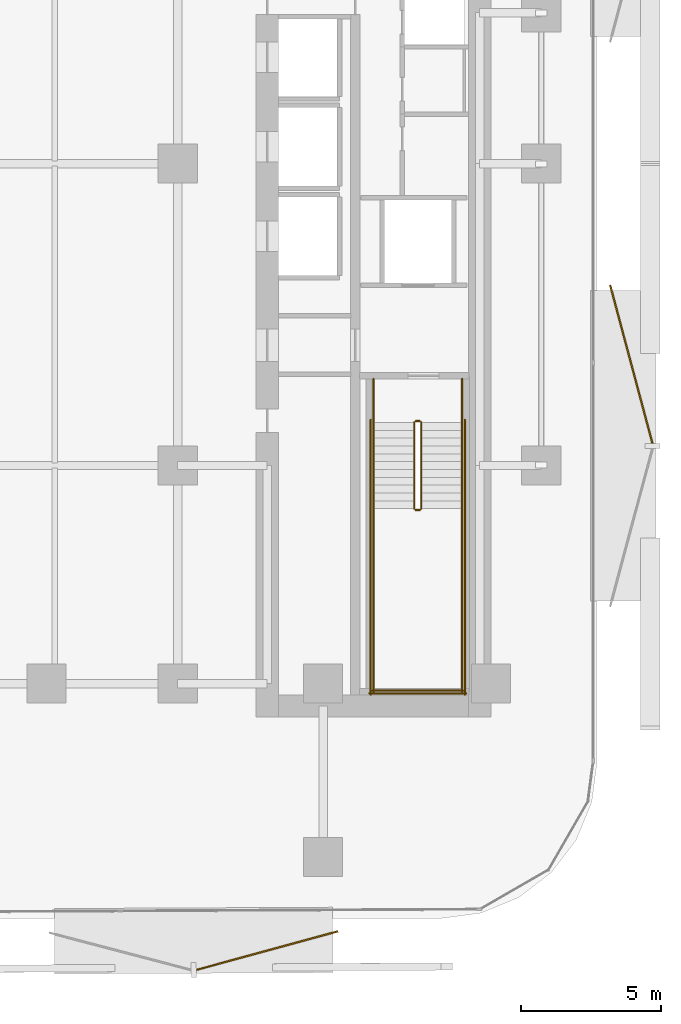
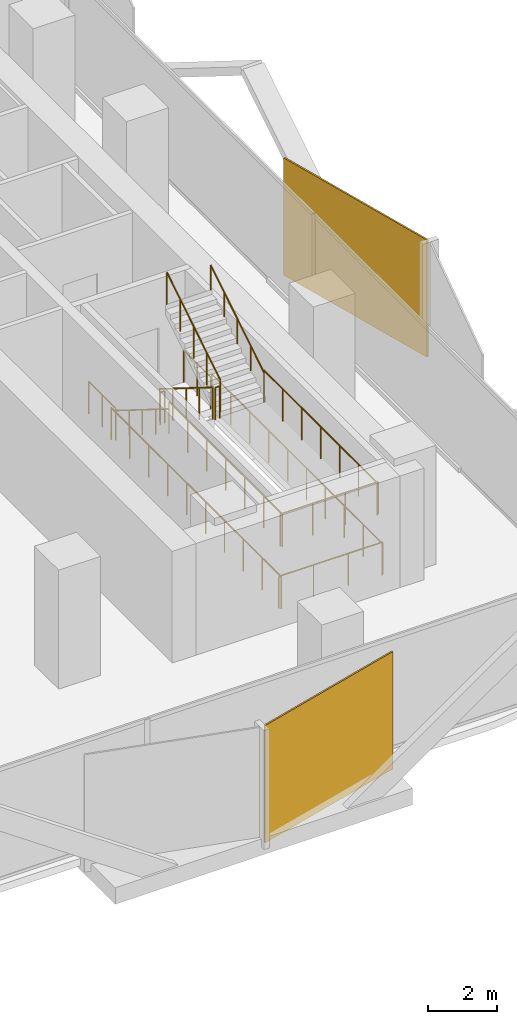
# One storey, part 13 of 15: 14 railings, 2 coverings.
"""IFC4 building model written with IfcOpenShell, lengths in metres."""

from ifc_helpers import new_model, si_unit, direction, frame, origin, origin_2d, place, context, subcontext, project, spatial, rectangle, circle, extrude, material, layer, layer_set, type_object, element, save


model = new_model("IFC4")

# Units and contexts
model_context = context("Model", 3, precision=1e-05, world=origin(), true_north=direction((0.0, 1.0)))
body_context = subcontext(model_context, "Body", "Model", "MODEL_VIEW")
ifc_project = project(units=[si_unit("LENGTHUNIT", "METRE"), si_unit("AREAUNIT", "SQUARE_METRE"), si_unit("VOLUMEUNIT", "CUBIC_METRE"), si_unit("PLANEANGLEUNIT", "RADIAN"), si_unit("MASSUNIT", "GRAM", prefix="KILO")], contexts=[model_context])

# Site, building, storey
site_placement = place(None, origin())
site = spatial("IfcSite", under=ifc_project, at=site_placement, CompositionType="ELEMENT")
building_placement = place(site_placement, origin())
building = spatial("IfcBuilding", under=site, at=building_placement, Name="Khairoan Windgate Tower", CompositionType="ELEMENT")
storey_placement = place(building_placement, frame((0.0, 0.0, 72.199951171875)))
storey = spatial("IfcBuildingStorey", under=building, at=storey_placement, Name="L17", CompositionType="ELEMENT", Elevation=72.199951171875)

# Coverings
ifc_material_1 = material(Name="Anodised Bronze Aluminium 6063-T6", Category="aluminium")
ifc_layer = layer(ifc_material_1, 0.054931640625, Name="Anodised Bronze Aluminium 6063-T6")
ifc_layer_set = layer_set([ifc_layer], Name="Anodised Bronze Aluminium 6063-T6")
covering_type = type_object("IfcCoveringType", Name="Perforated Bronze-Ceramic Folded Solar Screen Cladding BSC-1", PredefinedType="CLADDING", material=ifc_layer_set)
covering_1_placement = place(storey_placement, frame((12.39453125, -28.150390625, -0.10009765625), z_axis=(0.0, 0.0, 1.0), x_axis=(-0.964649468762, -0.263536339841, 0.0)))
element("IfcCovering", 1, at=covering_1_placement, inside=storey, type_object=covering_type, Name="L17 Folded Bronze Solar Screen Facet 89L", PredefinedType="CLADDING", context=body_context, shape_type="SweptSolid", body=[
    extrude(rectangle(XDim=5.25, YDim=0.054931640625, at=origin_2d()), origin(), (0.0, 0.0, 1.0), 4.139892578125),
])
covering_2_placement = place(storey_placement, frame((25.42236328125, -7.177734375, -0.10009765625), z_axis=(0.0, 0.0, 1.0), x_axis=(0.258819045103, -0.965925826289, 0.0)))
element("IfcCovering", 2, at=covering_2_placement, inside=storey, type_object=covering_type, Name="L17 Folded Bronze Solar Screen Facet 96L", PredefinedType="CLADDING", context=body_context, shape_type="SweptSolid", body=[
    extrude(rectangle(XDim=5.85498046875, YDim=0.054931640625, at=origin_2d()), origin(), (0.0, 0.0, 1.0), 4.139892578125),
])

# Railings
ifc_material_2 = material(Name="Anodised Bronze Aluminium 6063-T6", Category="aluminium")
railing_type_1 = type_object("IfcRailingType", Name="Stair Wall Handrail SHR-900", PredefinedType="HANDRAIL", material=ifc_material_2)
railing_1_placement = place(storey_placement, frame((16.199951171875, -9.260009765625, 0.175048828125)))
element("IfcRailing", 3, at=railing_1_placement, inside=storey, type_object=railing_type_1, Name="L17 ST1 stair handrail 1", PredefinedType="HANDRAIL", context=body_context, shape_type="SweptSolid", body=[
    extrude(circle(Radius=0.02392578125, at=origin_2d()), frame((0.0, 0.0, 0.8759765625), z_axis=(0.0, -0.847998304005, 0.529998940003), x_axis=(1.0, 0.0, 0.0)), (0.0, 0.0, 1.0), 3.632080078125),
    extrude(circle(Radius=0.02099609375, at=origin_2d()), origin(), (0.0, 0.0, 1.0), 0.851806640625),
    extrude(circle(Radius=0.02099609375, at=origin_2d()), frame((0.0, -0.77001953125, 0.481201171875)), (0.0, 0.0, 1.0), 0.851806640625),
    extrude(circle(Radius=0.02099609375, at=origin_2d()), frame((0.0, -1.5400390625, 0.96240234375)), (0.0, 0.0, 1.0), 0.851806640625),
    extrude(circle(Radius=0.02099609375, at=origin_2d()), frame((0.0, -2.31005859375, 1.44384765625)), (0.0, 0.0, 1.0), 0.851806640625),
    extrude(circle(Radius=0.02099609375, at=origin_2d()), frame((0.0, -3.080078125, 1.925048828125)), (0.0, 0.0, 1.0), 0.851806640625),
])
railing_2_placement = place(storey_placement, frame((19.3701171875, -12.340087890625, 2.275146484375)))
element("IfcRailing", 4, at=railing_2_placement, inside=storey, type_object=railing_type_1, Name="L17 ST1 stair handrail 2", PredefinedType="HANDRAIL", context=body_context, shape_type="SweptSolid", body=[
    extrude(circle(Radius=0.02392578125, at=origin_2d()), frame((0.0, 0.0, 0.8759765625), z_axis=(0.0, 0.848028513186, 0.529950602248), x_axis=(-1.0, 0.0, 0.0)), (0.0, 0.0, 1.0), 3.632080078125),
    extrude(circle(Radius=0.02099609375, at=origin_2d()), origin(), (0.0, 0.0, 1.0), 0.851806640625),
    extrude(circle(Radius=0.02099609375, at=origin_2d()), frame((0.0, 0.77001953125, 0.481201171875)), (0.0, 0.0, 1.0), 0.851806640625),
    extrude(circle(Radius=0.02099609375, at=origin_2d()), frame((0.0, 1.5400390625, 0.96240234375)), (0.0, 0.0, 1.0), 0.851806640625),
    extrude(circle(Radius=0.02099609375, at=origin_2d()), frame((0.0, 2.31005859375, 1.443603515625)), (0.0, 0.0, 1.0), 0.851806640625),
    extrude(circle(Radius=0.02099609375, at=origin_2d()), frame((0.0, 3.080078125, 1.9248046875)), (0.0, 0.0, 1.0), 0.851806640625),
])
ifc_material_3 = material(Name="Steel S355", Category="steel")
railing_type_2 = type_object("IfcRailingType", Name="Stairwell Safety Guardrail SGR-1150", PredefinedType="GUARDRAIL", material=ifc_material_3)
railing_3_placement = place(storey_placement, frame((17.659912109375, -9.260009765625, 0.175048828125)))
element("IfcRailing", 5, at=railing_3_placement, inside=storey, type_object=railing_type_2, Name="L17 ST1 stair guard 1", PredefinedType="GUARDRAIL", context=body_context, shape_type="SweptSolid", body=[
    extrude(circle(Radius=0.02392578125, at=origin_2d()), frame((0.0, 0.0, 1.1259765625), z_axis=(0.0, -0.847998304005, 0.529998940003), x_axis=(1.0, 0.0, 0.0)), (0.0, 0.0, 1.0), 3.632080078125),
    extrude(circle(Radius=0.02099609375, at=origin_2d()), origin(), (0.0, 0.0, 1.0), 1.101806640625),
    extrude(circle(Radius=0.02099609375, at=origin_2d()), frame((0.0, -0.77001953125, 0.481201171875)), (0.0, 0.0, 1.0), 1.101806640625),
    extrude(circle(Radius=0.02099609375, at=origin_2d()), frame((0.0, -1.5400390625, 0.96240234375)), (0.0, 0.0, 1.0), 1.101806640625),
    extrude(circle(Radius=0.02099609375, at=origin_2d()), frame((0.0, -2.31005859375, 1.44384765625)), (0.0, 0.0, 1.0), 1.101806640625),
    extrude(circle(Radius=0.02099609375, at=origin_2d()), frame((0.0, -3.080078125, 1.925048828125)), (0.0, 0.0, 1.0), 1.101806640625),
])
railing_4_placement = place(storey_placement, frame((17.7099609375, -12.389892578125, 2.10009765625)))
element("IfcRailing", 6, at=railing_4_placement, inside=storey, type_object=railing_type_2, Name="L17 ST1 stair guard 2", PredefinedType="GUARDRAIL", context=body_context, shape_type="SweptSolid", body=[
    extrude(circle(Radius=0.02392578125, at=origin_2d()), frame((0.0, 0.0, 1.1259765625), z_axis=(1.0, 0.0, 0.0), x_axis=(0.0, 1.0, 0.0)), (0.0, 0.0, 1.0), 0.150146484375),
    extrude(circle(Radius=0.02099609375, at=origin_2d()), origin(), (0.0, 0.0, 1.0), 1.101806640625),
    extrude(circle(Radius=0.02099609375, at=origin_2d()), frame((0.150146484375, 0.0, 0.0)), (0.0, 0.0, 1.0), 1.101806640625),
])
for number, where, name in (
    (7, (16.199951171875, -12.340087890625, 2.10009765625), "L17 ST1 stair guard 3"),
    (8, (19.3701171875, -12.340087890625, 2.10009765625), "L17 ST1 stair guard 4"),
):
    element("IfcRailing", number, at=place(storey_placement, frame(where)), inside=storey, type_object=railing_type_2, Name=name, PredefinedType="GUARDRAIL", context=body_context, shape_type="SweptSolid", body=[
        extrude(circle(Radius=0.02392578125, at=origin_2d()), frame((0.0, 0.0, 1.1259765625), z_axis=(0.0, -1.0, 0.0), x_axis=(1.0, 0.0, 0.0)), (0.0, 0.0, 1.0), 6.559814453125),
        extrude(circle(Radius=0.02099609375, at=origin_2d()), origin(), (0.0, 0.0, 1.0), 1.101806640625),
        extrude(circle(Radius=0.02099609375, at=origin_2d()), frame((0.0, -1.09326171875, 0.0)), (0.0, 0.0, 1.0), 1.101806640625),
        extrude(circle(Radius=0.02099609375, at=origin_2d()), frame((0.0, -2.1865234375, 0.0)), (0.0, 0.0, 1.0), 1.101806640625),
        extrude(circle(Radius=0.02099609375, at=origin_2d()), frame((0.0, -3.27978515625, 0.0)), (0.0, 0.0, 1.0), 1.101806640625),
        extrude(circle(Radius=0.02099609375, at=origin_2d()), frame((0.0, -4.373291015625, 0.0)), (0.0, 0.0, 1.0), 1.101806640625),
        extrude(circle(Radius=0.02099609375, at=origin_2d()), frame((0.0, -5.466552734375, 0.0)), (0.0, 0.0, 1.0), 1.101806640625),
        extrude(circle(Radius=0.02099609375, at=origin_2d()), frame((0.0, -6.559814453125, 0.0)), (0.0, 0.0, 1.0), 1.101806640625),
    ])
railing_5_placement = place(storey_placement, frame((16.14990234375, -18.85009765625, 2.10009765625)))
element("IfcRailing", 9, at=railing_5_placement, inside=storey, type_object=railing_type_2, Name="L17 ST1 stair guard 5", PredefinedType="GUARDRAIL", context=body_context, shape_type="SweptSolid", body=[
    extrude(circle(Radius=0.02392578125, at=origin_2d()), frame((0.0, 0.0, 1.1259765625), z_axis=(1.0, 0.0, 0.0), x_axis=(0.0, 1.0, 0.0)), (0.0, 0.0, 1.0), 3.27001953125),
    extrude(circle(Radius=0.02099609375, at=origin_2d()), origin(), (0.0, 0.0, 1.0), 1.101806640625),
    extrude(circle(Radius=0.02099609375, at=origin_2d()), frame((1.090087890625, 0.0, 0.0)), (0.0, 0.0, 1.0), 1.101806640625),
    extrude(circle(Radius=0.02099609375, at=origin_2d()), frame((2.179931640625, 0.0, 0.0)), (0.0, 0.0, 1.0), 1.101806640625),
    extrude(circle(Radius=0.02099609375, at=origin_2d()), frame((3.27001953125, 0.0, 0.0)), (0.0, 0.0, 1.0), 1.101806640625),
])
railing_6_placement = place(storey_placement, frame((17.909912109375, -12.340087890625, 2.275146484375)))
element("IfcRailing", 10, at=railing_6_placement, inside=storey, type_object=railing_type_2, Name="L17 ST1 stair guard 6", PredefinedType="GUARDRAIL", context=body_context, shape_type="SweptSolid", body=[
    extrude(circle(Radius=0.02392578125, at=origin_2d()), frame((0.0, 0.0, 1.1259765625), z_axis=(0.0, 0.848028513186, 0.529950602248), x_axis=(-1.0, 0.0, 0.0)), (0.0, 0.0, 1.0), 3.632080078125),
    extrude(circle(Radius=0.02099609375, at=origin_2d()), origin(), (0.0, 0.0, 1.0), 1.101806640625),
    extrude(circle(Radius=0.02099609375, at=origin_2d()), frame((0.0, 0.77001953125, 0.481201171875)), (0.0, 0.0, 1.0), 1.101806640625),
    extrude(circle(Radius=0.02099609375, at=origin_2d()), frame((0.0, 1.5400390625, 0.96240234375)), (0.0, 0.0, 1.0), 1.101806640625),
    extrude(circle(Radius=0.02099609375, at=origin_2d()), frame((0.0, 2.31005859375, 1.443603515625)), (0.0, 0.0, 1.0), 1.101806640625),
    extrude(circle(Radius=0.02099609375, at=origin_2d()), frame((0.0, 3.080078125, 1.9248046875)), (0.0, 0.0, 1.0), 1.101806640625),
])
railing_7_placement = place(storey_placement, frame((17.7099609375, -9.2099609375, 0.0)))
element("IfcRailing", 11, at=railing_7_placement, inside=storey, type_object=railing_type_2, Name="L17 ST1 stair guard 7", PredefinedType="GUARDRAIL", context=body_context, shape_type="SweptSolid", body=[
    extrude(circle(Radius=0.02392578125, at=origin_2d()), frame((0.0, 0.0, 1.1259765625), z_axis=(1.0, 0.0, 0.0), x_axis=(0.0, 1.0, 0.0)), (0.0, 0.0, 1.0), 0.150146484375),
    extrude(circle(Radius=0.02099609375, at=origin_2d()), origin(), (0.0, 0.0, 1.0), 1.101806640625),
    extrude(circle(Radius=0.02099609375, at=origin_2d()), frame((0.150146484375, 0.0, 0.0)), (0.0, 0.0, 1.0), 1.101806640625),
])
for number, where, name in (
    (12, (16.199951171875, -7.699951171875, 0.0), "L17 ST1 stair guard 8"),
    (13, (19.3701171875, -7.699951171875, 0.0), "L17 ST1 stair guard 9"),
):
    element("IfcRailing", number, at=place(storey_placement, frame(where)), inside=storey, type_object=railing_type_2, Name=name, PredefinedType="GUARDRAIL", context=body_context, shape_type="SweptSolid", body=[
        extrude(circle(Radius=0.02392578125, at=origin_2d()), frame((0.0, 0.0, 1.1259765625), z_axis=(0.0, -1.0, 0.0), x_axis=(1.0, 0.0, 0.0)), (0.0, 0.0, 1.0), 1.56005859375),
        extrude(circle(Radius=0.02099609375, at=origin_2d()), origin(), (0.0, 0.0, 1.0), 1.101806640625),
        extrude(circle(Radius=0.02099609375, at=origin_2d()), frame((0.0, -0.780029296875, 0.0)), (0.0, 0.0, 1.0), 1.101806640625),
        extrude(circle(Radius=0.02099609375, at=origin_2d()), frame((0.0, -1.56005859375, 0.0)), (0.0, 0.0, 1.0), 1.101806640625),
    ])
for number, where, name in (
    (14, (16.10009765625, -9.159912109375, 0.0), "L17 ST1 stair guard 10"),
    (15, (19.469970703125, -9.159912109375, 0.0), "L17 ST1 stair guard 11"),
):
    element("IfcRailing", number, at=place(storey_placement, frame(where)), inside=storey, type_object=railing_type_2, Name=name, PredefinedType="GUARDRAIL", context=body_context, shape_type="SweptSolid", body=[
        extrude(circle(Radius=0.02392578125, at=origin_2d()), frame((0.0, 0.0, 1.1259765625), z_axis=(0.0, -1.0, 0.0), x_axis=(1.0, 0.0, 0.0)), (0.0, 0.0, 1.0), 9.840087890625),
        extrude(circle(Radius=0.02099609375, at=origin_2d()), origin(), (0.0, 0.0, 1.0), 1.101806640625),
        extrude(circle(Radius=0.02099609375, at=origin_2d()), frame((0.0, -1.09326171875, 0.0)), (0.0, 0.0, 1.0), 1.101806640625),
        extrude(circle(Radius=0.02099609375, at=origin_2d()), frame((0.0, -2.186767578125, 0.0)), (0.0, 0.0, 1.0), 1.101806640625),
        extrude(circle(Radius=0.02099609375, at=origin_2d()), frame((0.0, -3.280029296875, 0.0)), (0.0, 0.0, 1.0), 1.101806640625),
        extrude(circle(Radius=0.02099609375, at=origin_2d()), frame((0.0, -4.373291015625, 0.0)), (0.0, 0.0, 1.0), 1.101806640625),
        extrude(circle(Radius=0.02099609375, at=origin_2d()), frame((0.0, -5.466796875, 0.0)), (0.0, 0.0, 1.0), 1.101806640625),
        extrude(circle(Radius=0.02099609375, at=origin_2d()), frame((0.0, -6.56005859375, 0.0)), (0.0, 0.0, 1.0), 1.101806640625),
        extrude(circle(Radius=0.02099609375, at=origin_2d()), frame((0.0, -7.6533203125, 0.0)), (0.0, 0.0, 1.0), 1.101806640625),
        extrude(circle(Radius=0.02099609375, at=origin_2d()), frame((0.0, -8.746826171875, 0.0)), (0.0, 0.0, 1.0), 1.101806640625),
        extrude(circle(Radius=0.02099609375, at=origin_2d()), frame((0.0, -9.840087890625, 0.0)), (0.0, 0.0, 1.0), 1.101806640625),
    ])
railing_8_placement = place(storey_placement, frame((16.050048828125, -18.949951171875, 0.0)))
element("IfcRailing", 16, at=railing_8_placement, inside=storey, type_object=railing_type_2, Name="L17 ST1 stair guard 12", PredefinedType="GUARDRAIL", context=body_context, shape_type="SweptSolid", body=[
    extrude(circle(Radius=0.02392578125, at=origin_2d()), frame((0.0, 0.0, 1.1259765625), z_axis=(1.0, 0.0, 0.0), x_axis=(0.0, 1.0, 0.0)), (0.0, 0.0, 1.0), 3.469970703125),
    extrude(circle(Radius=0.02099609375, at=origin_2d()), origin(), (0.0, 0.0, 1.0), 1.101806640625),
    extrude(circle(Radius=0.02099609375, at=origin_2d()), frame((1.15673828125, 0.0, 0.0)), (0.0, 0.0, 1.0), 1.101806640625),
    extrude(circle(Radius=0.02099609375, at=origin_2d()), frame((2.313232421875, 0.0, 0.0)), (0.0, 0.0, 1.0), 1.101806640625),
    extrude(circle(Radius=0.02099609375, at=origin_2d()), frame((3.469970703125, 0.0, 0.0)), (0.0, 0.0, 1.0), 1.101806640625),
])

save(model, "model.ifc")
